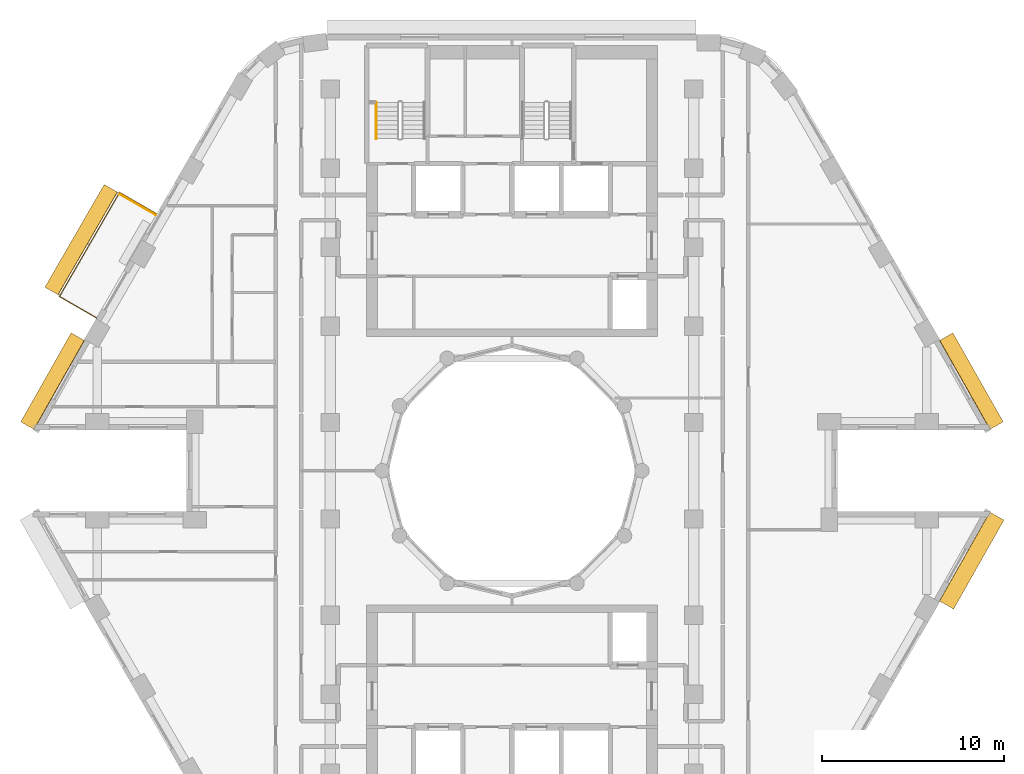
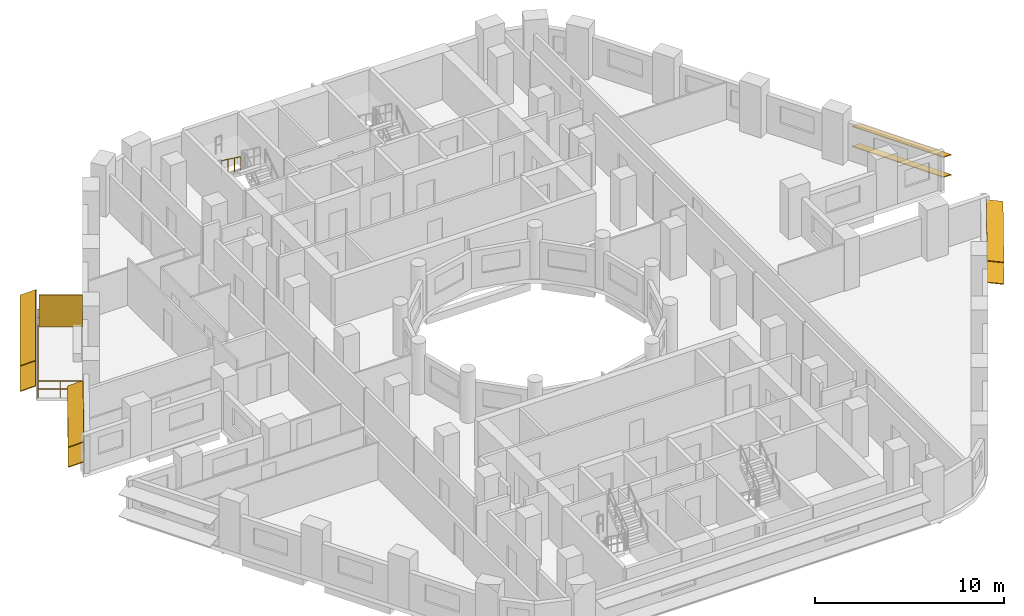
# One storey, part 12 of 13: 9 shading devices, 2 railings.
"""IFC4 building model written with IfcOpenShell, lengths in metres."""

from ifc_helpers import new_model, si_unit, direction, frame, origin, origin_2d, place, context, subcontext, project, spatial, rectangle, circle, extrude, material, layer, layer_set, material_profile, profile_set, type_object, element, save


model = new_model("IFC4")

# Units and contexts
model_context = context("Model", 3, precision=1e-05, world=origin(), true_north=direction((0.0, 1.0)))
body_context = subcontext(model_context, "Body", "Model", "MODEL_VIEW")
ifc_project = project(units=[si_unit("LENGTHUNIT", "METRE"), si_unit("AREAUNIT", "SQUARE_METRE"), si_unit("VOLUMEUNIT", "CUBIC_METRE"), si_unit("PLANEANGLEUNIT", "RADIAN"), si_unit("MASSUNIT", "GRAM", prefix="KILO")], contexts=[model_context])

# Site, building, storey
site_placement = place(None, origin())
site = spatial("IfcSite", under=ifc_project, at=site_placement, CompositionType="ELEMENT")
building_placement = place(site_placement, origin())
building = spatial("IfcBuilding", under=site, at=building_placement, Name="Nakaniwa Court", CompositionType="ELEMENT")
storey_placement = place(building_placement, frame((0.0, 0.0, 133.800048828125)))
storey = spatial("IfcBuildingStorey", under=building, at=storey_placement, Name="L34", CompositionType="ELEMENT", Elevation=133.800048828125)

# Railing
ifc_material_1 = material(Name="Black powder-coated steel flat bar balustrade S275", Category="steel")
railing_type_1 = type_object("IfcRailingType", Name="Black metal balcony guard 1100", PredefinedType="GUARDRAIL", material=ifc_material_1)
railing_1_placement = place(storey_placement, frame((60.44677734375, 94.133056640625, -0.050048828125)))
element("IfcRailing", 1, at=railing_1_placement, inside=storey, type_object=railing_type_1, Name="L34 balcony guard 01", PredefinedType="GUARDRAIL", context=body_context, shape_type="SweptSolid", body=[
    extrude(circle(Radius=0.02392578125, at=origin_2d()), frame((0.0, 0.0, 1.076171875), z_axis=(-0.866025363618, 0.50000006957, 0.0), x_axis=(-0.50000006957, -0.866025363618, 0.0)), (0.0, 0.0, 1.0), 2.35986328125),
    extrude(circle(Radius=0.02392578125, at=origin_2d()), frame((0.0, 0.0, 0.550048828125), z_axis=(-0.866025363618, 0.50000006957, 0.0), x_axis=(-0.50000006957, -0.866025363618, 0.0)), (0.0, 0.0, 1.0), 2.35986328125),
    extrude(circle(Radius=0.02392578125, at=origin_2d()), frame((-2.043701171875, 1.179931640625, 1.076171875), z_axis=(-0.500004921708, -0.866022562216, 0.0), x_axis=(0.866022562216, -0.500004921708, 0.0)), (0.0, 0.0, 1.0), 6.60888671875),
    extrude(circle(Radius=0.02392578125, at=origin_2d()), frame((-2.043701171875, 1.179931640625, 0.550048828125), z_axis=(-0.500004921708, -0.866022562216, 0.0), x_axis=(0.866022562216, -0.500004921708, 0.0)), (0.0, 0.0, 1.0), 6.60888671875),
    extrude(circle(Radius=0.02392578125, at=origin_2d()), frame((-5.34814453125, -4.54345703125, 1.076171875), z_axis=(0.866006432019, -0.500032858622, 0.0), x_axis=(0.500032858622, 0.866006432019, 0.0)), (0.0, 0.0, 1.0), 2.360107421875),
    extrude(circle(Radius=0.02392578125, at=origin_2d()), frame((-5.34814453125, -4.54345703125, 0.550048828125), z_axis=(0.866006432019, -0.500032858622, 0.0), x_axis=(0.500032858622, 0.866006432019, 0.0)), (0.0, 0.0, 1.0), 2.360107421875),
    extrude(circle(Radius=0.02099609375, at=origin_2d()), origin(), (0.0, 0.0, 1.0), 1.052001953125),
    extrude(circle(Radius=0.02099609375, at=origin_2d()), frame((-1.02197265625, 0.58984375, 0.0)), (0.0, 0.0, 1.0), 1.052001953125),
    extrude(circle(Radius=0.02099609375, at=origin_2d()), frame((-2.043701171875, 1.179931640625, 0.0)), (0.0, 0.0, 1.0), 1.052001953125),
    extrude(circle(Radius=0.02099609375, at=origin_2d()), frame((-2.594482421875, 0.22607421875, 0.0)), (0.0, 0.0, 1.0), 1.052001953125),
    extrude(circle(Radius=0.02099609375, at=origin_2d()), frame((-3.145263671875, -0.727783203125, 0.0)), (0.0, 0.0, 1.0), 1.052001953125),
    extrude(circle(Radius=0.02099609375, at=origin_2d()), frame((-3.69580078125, -1.681640625, 0.0)), (0.0, 0.0, 1.0), 1.052001953125),
    extrude(circle(Radius=0.02099609375, at=origin_2d()), frame((-4.24658203125, -2.6357421875, 0.0)), (0.0, 0.0, 1.0), 1.052001953125),
    extrude(circle(Radius=0.02099609375, at=origin_2d()), frame((-4.79736328125, -3.589599609375, 0.0)), (0.0, 0.0, 1.0), 1.052001953125),
    extrude(circle(Radius=0.02099609375, at=origin_2d()), frame((-5.34814453125, -4.54345703125, 0.0)), (0.0, 0.0, 1.0), 1.052001953125),
    extrude(circle(Radius=0.02099609375, at=origin_2d()), frame((-4.326171875, -5.133544921875, 0.0)), (0.0, 0.0, 1.0), 1.052001953125),
    extrude(circle(Radius=0.02099609375, at=origin_2d()), frame((-3.30419921875, -5.7236328125, 0.0)), (0.0, 0.0, 1.0), 1.052001953125),
])

# Shading devices
ifc_material_2 = material(Name="Black powder-coated aluminium slat screen", Category="aluminium")
ifc_layer = layer(ifc_material_2, 0.0400390625)
ifc_layer_set = layer_set([ifc_layer], Name="Black powder-coated aluminium slat screen")
shading_device_type_1 = type_object("IfcShadingDeviceType", Name="Koshi screen black metal", PredefinedType="USERDEFINED", material=ifc_layer_set)
shading_device_placement = place(storey_placement, frame((59.406494140625, 94.64111328125, -0.050048828125), z_axis=(0.0, 0.0, 1.0), x_axis=(-0.499975815814, -0.866039366081, 0.0)))
element("IfcShadingDevice", 2, at=shading_device_placement, inside=storey, type_object=shading_device_type_1, Name="L34 balcony SCREEN 01 W", ObjectType="KOSHI SCREEN", PredefinedType="USERDEFINED", context=body_context, shape_type="SweptSolid", body=[
    extrude(rectangle(XDim=0.0400390625, YDim=2.31005859375, at=origin_2d()), origin(), (0.0, 0.0, 1.0), 2.10009765625),
])
ifc_material_3 = material(Name="Perforated charcoal ceramic louvre blade")
ifc_material_profile = material_profile(ifc_material_3, rectangle(XDim=0.89990234375, YDim=0.050048828125, at=origin_2d()), Name="Perforated ceramic louvre blade")
ifc_profile_set = profile_set([ifc_material_profile], Name="Perforated charcoal ceramic louvre blade")
shading_device_type_2 = type_object("IfcShadingDeviceType", Name="Perforated ceramic louvre blade", PredefinedType="JALOUSIE", material=ifc_profile_set)
for number, where, z_axis, x_axis, name in (
    (3, (57.927978515625, 95.541015625, 0.5), (-0.499959831567, -0.866048593798, 0.0), (0.80012456997, -0.461902655462, 0.382683432365), "L34 perforated ceramic louvre blade 01 1"),
    (4, (57.927978515625, 95.541015625, 2.14990234375), (-0.499959831567, -0.866048593798, 0.0), (0.80012456997, -0.461902655462, 0.382683432365), "L34 perforated ceramic louvre blade 01 2"),
):
    element("IfcShadingDevice", number, at=place(storey_placement, frame(where, z_axis=z_axis, x_axis=x_axis)), inside=storey, type_object=shading_device_type_2, Name=name, PredefinedType="JALOUSIE", context=body_context, shape_type="SweptSolid", body=[
        extrude(rectangle(XDim=0.89990234375, YDim=0.050048828125, at=origin_2d()), origin(), (0.0, 0.0, 1.0), 6.52880859375),
    ])
for number, where, z_axis, x_axis, name in (
    (5, (106.662353515625, 82.48046875, 0.550048828125), (-0.49253187421, 0.870294405869, 0.0), (-0.804627241022, -0.455368390728, 0.38107037635), "L34 perforated ceramic louvre blade w02 1"),
    (6, (106.662353515625, 82.48046875, 1.845458984375), (-0.49253187421, 0.870294405869, 0.0), (-0.804627241022, -0.455368390728, 0.38107037635), "L34 perforated ceramic louvre blade w02 2"),
    (7, (56.10888671875, 87.377197265625, 0.550048828125), (-0.49253187421, -0.870294405869, 0.0), (0.804627241022, -0.455368390728, 0.38107037635), "L34 perforated ceramic louvre blade w14 1"),
    (8, (56.10888671875, 87.377197265625, 1.845458984375), (-0.49253187421, -0.870294405869, 0.0), (0.804627241022, -0.455368390728, 0.38107037635), "L34 perforated ceramic louvre blade w14 2"),
    (9, (103.911865234375, 72.611083984375, 0.550048828125), (0.49253187421, 0.870294405869, 0.0), (-0.862649339692, 0.488205247786, 0.132256390257), "L34 perforated ceramic louvre blade w32 1"),
    (10, (103.911865234375, 72.611083984375, 1.95556640625), (0.49253187421, 0.870294405869, 0.0), (-0.862649339692, 0.488205247786, 0.132256390257), "L34 perforated ceramic louvre blade w32 2"),
):
    element("IfcShadingDevice", number, at=place(storey_placement, frame(where, z_axis=z_axis, x_axis=x_axis)), inside=storey, type_object=shading_device_type_2, Name=name, PredefinedType="JALOUSIE", context=body_context, shape_type="SweptSolid", body=[
        extrude(rectangle(XDim=0.89990234375, YDim=0.050048828125, at=origin_2d()), origin(), (0.0, 0.0, 1.0), 5.62646484375),
    ])

# Railing
ifc_material_4 = material(Name="Black powder coated steel handrail", Category="steel")
railing_type_2 = type_object("IfcRailingType", Name="Stair handrail 900", PredefinedType="HANDRAIL", material=ifc_material_4)
railing_2_placement = place(storey_placement, frame((72.52490234375, 100.27490234375, 1.833251953125)))
element("IfcRailing", 11, at=railing_2_placement, inside=storey, type_object=railing_type_2, Name="L34 ST1 stair handrail 2", PredefinedType="HANDRAIL", context=body_context, shape_type="SweptSolid", body=[
    extrude(circle(Radius=0.02392578125, at=origin_2d()), frame((0.0, 0.0, 0.8759765625), z_axis=(0.0, -0.806379959628, 0.591397802423), x_axis=(1.0, 0.0, 0.0)), (0.0, 0.0, 1.0), 2.480224609375),
    extrude(circle(Radius=0.02099609375, at=origin_2d()), origin(), (0.0, 0.0, 1.0), 0.851806640625),
    extrude(circle(Radius=0.02099609375, at=origin_2d()), frame((0.0, -0.666748046875, 0.489013671875)), (0.0, 0.0, 1.0), 0.851806640625),
    extrude(circle(Radius=0.02099609375, at=origin_2d()), frame((0.0, -1.333251953125, 0.977783203125)), (0.0, 0.0, 1.0), 0.851806640625),
    extrude(circle(Radius=0.02099609375, at=origin_2d()), frame((0.0, -2.0, 1.466796875)), (0.0, 0.0, 1.0), 0.851806640625),
])

save(model, "model.ifc")
